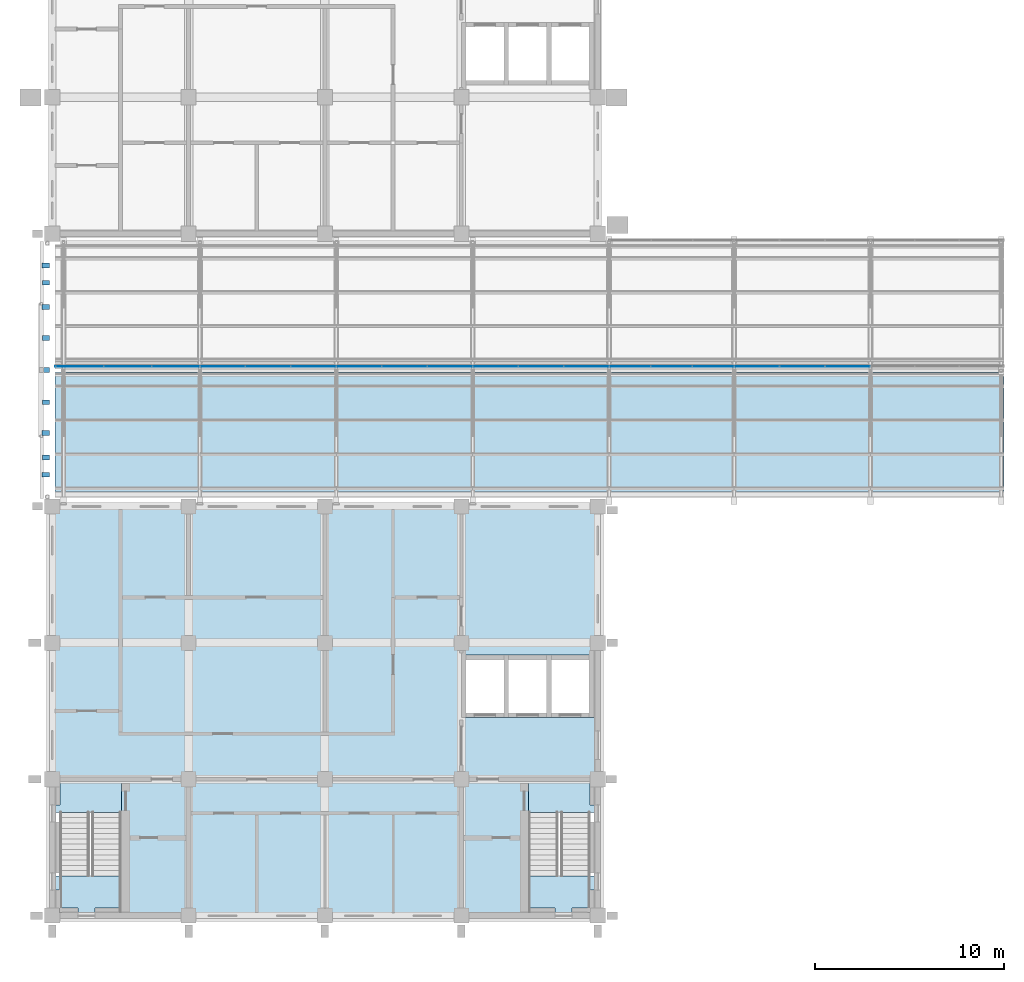
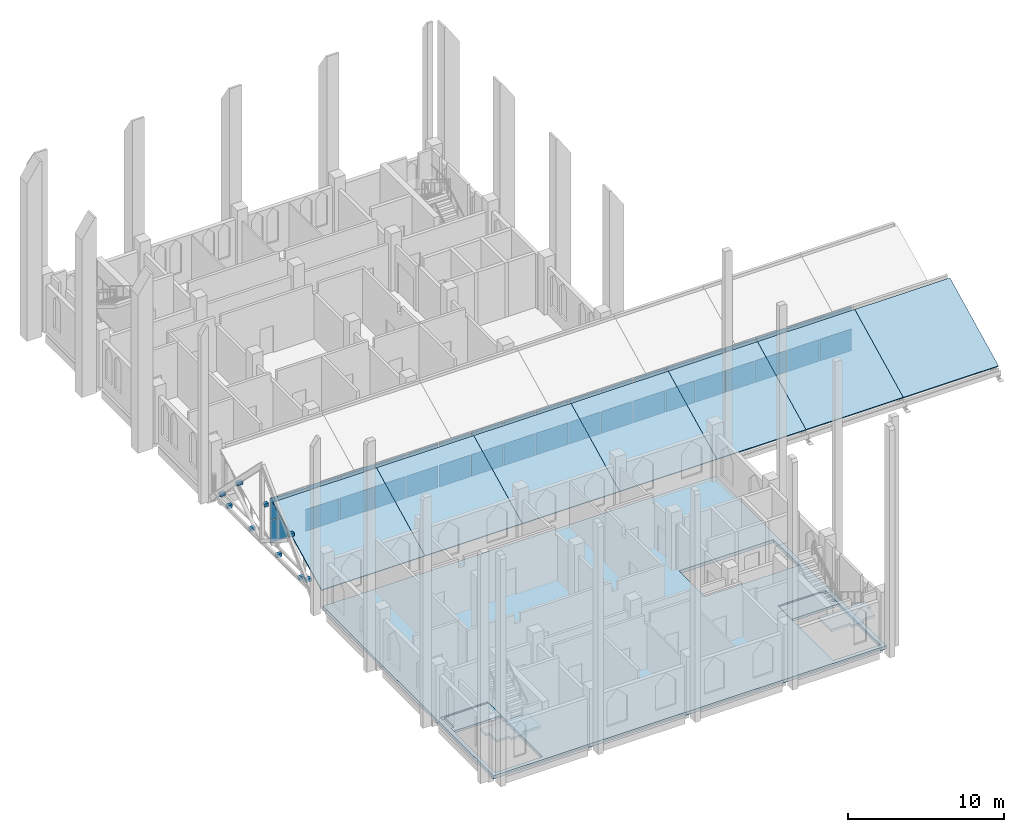
# One storey, part 16 of 29: 36 plates, 12 slabs, 9 members, 8 elements without a shape of their own.
"""IFC4 building model written with IfcOpenShell, lengths in metres."""

import ifcopenshell
import ifcopenshell.guid

model = None  # the IFC model being written
_history = None  # IfcOwnerHistory: only IFC2X3 demands one
_inside = {}  # id of a spatial element -> (the spatial element, [elements in it])
_under = {}  # id of a project, library or spatial element -> (it, [spatial elements below it])
_declared = {}  # id of a project -> (the project, [libraries it declares])
_typed = {}  # id of a type object -> (the type object, [elements of that type])
_made_of = {}  # id of a material, layer set ... -> (it, [elements and type objects made of it])


def new_model(schema):
    """Start an empty IFC model of exactly this schema.

    Asked for "IFC4X3", IfcOpenShell would pick the latest addendum, in which some entities
    have other attributes; the version numbers below select the first issue.
    IFC2X3 requires an IfcOwnerHistory on every rooted entity: one is made here for all.
    """
    global model, _history
    if schema == "IFC4X3":
        model = ifcopenshell.file(schema_version=(4, 3, 0, 0))
    else:
        model = ifcopenshell.file(schema=schema)
    _inside.clear()
    _under.clear()
    _declared.clear()
    _typed.clear()
    _made_of.clear()
    _history = None
    if model.schema == "IFC2X3":
        org = make("IfcOrganization", Name="unknown")
        user = make(
            "IfcPersonAndOrganization",
            ThePerson=make("IfcPerson", FamilyName="unknown"),
            TheOrganization=org,
        )
        app = make(
            "IfcApplication",
            ApplicationDeveloper=org,
            Version="unknown",
            ApplicationFullName="unknown",
            ApplicationIdentifier="unknown",
        )
        _history = make(
            "IfcOwnerHistory",
            OwningUser=user,
            OwningApplication=app,
            ChangeAction="ADDED",
            CreationDate=0,
        )
    return model


def make(cls, **values):
    """One entity of the class cls with the attributes given. An attribute that is None is left unset."""
    return model.create_entity(
        cls, **{name: value for name, value in values.items() if value is not None}
    )


def rooted(cls, **values):
    """An entity with a GlobalId (a new one), such as an element, a storey or a relation."""
    return make(cls, GlobalId=ifcopenshell.guid.new(), OwnerHistory=_history, **values)


def si_unit(unit_type, name, prefix=None):
    """IfcSIUnit, for example si_unit("LENGTHUNIT", "METRE", prefix="MILLI")."""
    return make("IfcSIUnit", UnitType=unit_type, Prefix=prefix, Name=name)


def assignment(units):
    """IfcUnitAssignment: the units of a project."""
    return None if units is None else make("IfcUnitAssignment", Units=units)


def point(xyz):
    """IfcCartesianPoint."""
    return None if xyz is None else make("IfcCartesianPoint", Coordinates=xyz)


def direction(xyz):
    """IfcDirection."""
    return None if xyz is None else make("IfcDirection", DirectionRatios=xyz)


def frame(location, z_axis=None, x_axis=None):
    """IfcAxis2Placement3D, a coordinate frame: its origin and axes. An axis left out is left unset."""
    return make(
        "IfcAxis2Placement3D",
        Location=point(location),
        Axis=direction(z_axis),
        RefDirection=direction(x_axis),
    )


def frame_2d(location, x_axis=None):
    """IfcAxis2Placement2D, a coordinate frame in the plane: its origin and x axis."""
    return make(
        "IfcAxis2Placement2D", Location=point(location), RefDirection=direction(x_axis)
    )


def origin():
    """The frame at (0, 0, 0) with its axes left unset."""
    return frame((0.0, 0.0, 0.0))


def origin_2d():
    """The frame at (0, 0) in the plane with its x axis left unset."""
    return frame_2d((0.0, 0.0))


def place(relative_to, where):
    """IfcLocalPlacement: puts the frame where relative to a parent placement (None: the world)."""
    return make(
        "IfcLocalPlacement", PlacementRelTo=relative_to, RelativePlacement=where
    )


def context(
    kind, dimensions, precision=None, world=None, true_north=None, identifier=None
):
    """IfcGeometricRepresentationContext, for example the 3D "Model" context."""
    return make(
        "IfcGeometricRepresentationContext",
        ContextIdentifier=identifier,
        ContextType=kind,
        CoordinateSpaceDimension=dimensions,
        Precision=precision,
        WorldCoordinateSystem=world,
        TrueNorth=true_north,
    )


def subcontext(parent, identifier, kind, view, scale=None):
    """IfcGeometricRepresentationSubContext, for example "Body" below "Model"."""
    return make(
        "IfcGeometricRepresentationSubContext",
        ContextIdentifier=identifier,
        ContextType=kind,
        ParentContext=parent,
        TargetScale=scale,
        TargetView=view,
    )


def project(units=None, contexts=None):
    """IfcProject with its units and contexts."""
    return rooted(
        "IfcProject",
        Name="project",
        RepresentationContexts=contexts,
        UnitsInContext=assignment(units),
    )


def spatial(cls, under=None, at=None, **own):
    """A site, building, storey or space (cls), placed at a placement, below another one or the project."""
    s = rooted(cls, ObjectPlacement=at, **own)
    if under is not None:
        _under.setdefault(under.id(), (under, []))[1].append(s)
    return s


def polyline(points):
    """IfcPolyline through the points."""
    return make("IfcPolyline", Points=[point(p) for p in points])


def profile(cls, at=None, kind="AREA", **sizes):
    """A parametric profile (cls). Its sizes go by their IFC names, for example OverallWidth=200.0."""
    return make(cls, ProfileType=kind, Position=at, **sizes)


def rectangle(**sizes):
    """IfcRectangleProfileDef."""
    return profile("IfcRectangleProfileDef", **sizes)


def outline(outer, holes=None, kind="AREA"):
    """IfcArbitraryClosedProfileDef: a profile drawn as a closed curve; with holes, ...WithVoids."""
    if holes is None:
        return make("IfcArbitraryClosedProfileDef", ProfileType=kind, OuterCurve=outer)
    return make(
        "IfcArbitraryProfileDefWithVoids",
        ProfileType=kind,
        OuterCurve=outer,
        InnerCurves=holes,
    )


def extrude(swept, where, along, depth):
    """IfcExtrudedAreaSolid: the profile swept, set in the frame where, extruded along a direction by depth."""
    return make(
        "IfcExtrudedAreaSolid",
        SweptArea=swept,
        Position=where,
        ExtrudedDirection=direction(along),
        Depth=depth,
    )


def shape(context_of_items, identifier, shape_type, items):
    """IfcShapeRepresentation: the items that make up one representation, for example the "Body"."""
    return make(
        "IfcShapeRepresentation",
        ContextOfItems=context_of_items,
        RepresentationIdentifier=identifier,
        RepresentationType=shape_type,
        Items=items,
    )


def material(Name=None, Category=None):
    """IfcMaterial."""
    return make("IfcMaterial", Name=Name, Category=Category)


def layer(
    of_material, thickness, ventilated=None, Name=None, Category=None, Priority=None
):
    """IfcMaterialLayer: one layer of a wall or slab, of a material (None: an air gap)."""
    return make(
        "IfcMaterialLayer",
        Material=of_material,
        LayerThickness=thickness,
        IsVentilated=ventilated,
        Name=Name,
        Category=Category,
        Priority=Priority,
    )


def layer_set(layers, Name=None):
    """IfcMaterialLayerSet."""
    return make("IfcMaterialLayerSet", MaterialLayers=layers, LayerSetName=Name)


def material_profile(
    of_material, cross_section, Name=None, Category=None, Priority=None
):
    """IfcMaterialProfile: a cross section and its material."""
    return make(
        "IfcMaterialProfile",
        Name=Name,
        Material=of_material,
        Profile=cross_section,
        Priority=Priority,
        Category=Category,
    )


def profile_set(profiles, Name=None, composite=None):
    """IfcMaterialProfileSet."""
    return make(
        "IfcMaterialProfileSet",
        Name=Name,
        MaterialProfiles=profiles,
        CompositeProfile=composite,
    )


def made_of(thing, what):
    """Note that an element or type object is made of a material, layer set ...; save() writes the relation."""
    if what is not None:
        _made_of.setdefault(what.id(), (what, []))[1].append(thing)
    return thing


def type_object(cls, material=None, **own):
    """A type object (cls), such as IfcWallType, which elements share."""
    return made_of(rooted(cls, **own), material)


def element(
    cls,
    number,
    at=None,
    inside=None,
    cuts=None,
    type_object=None,
    material=None,
    context=None,
    identifier="Body",
    shape_type=None,
    held_by="IfcProductDefinitionShape",
    body=None,
    shapes=None,
    **own,
):
    """One element of the class cls, such as IfcWall. Its Tag is "e" and its number.

    at: its placement. inside: the storey or other place that contains it. cuts: it is an
    opening in that element (IfcRelVoidsElement). A single representation is given by context,
    identifier, shape_type and body (its items); several are given by shapes. held_by: the class
    of the entity that holds the representations. save() writes the other relations.
    """
    e = rooted(cls, Tag="e%d" % number, ObjectPlacement=at, **own)
    if body is not None:
        shapes = [shape(context, identifier, shape_type, body)]
    if shapes is not None:
        e.Representation = make(held_by, Representations=shapes)
    if inside is not None:
        _inside.setdefault(inside.id(), (inside, []))[1].append(e)
    if cuts is not None:
        rooted(
            "IfcRelVoidsElement", RelatingBuildingElement=cuts, RelatedOpeningElement=e
        )
    if type_object is not None:
        _typed.setdefault(type_object.id(), (type_object, []))[1].append(e)
    return made_of(e, material)


def aggregate(whole, parts):
    """IfcRelAggregates: a whole, such as a stair, and the parts it consists of."""
    return rooted("IfcRelAggregates", RelatingObject=whole, RelatedObjects=parts)


def save(model, path):
    """Write the relations noted so far, then the file.

    IfcRelAggregates (storeys below a building ...), IfcRelContainedInSpatialStructure (elements
    in a storey), IfcRelDefinesByType, IfcRelAssociatesMaterial and IfcRelDeclares: one each for
    every whole, place, type object, material and project.
    """
    for whole, parts in _under.values():
        aggregate(whole, parts)
    for where, things in _inside.values():
        rooted(
            "IfcRelContainedInSpatialStructure",
            RelatedElements=things,
            RelatingStructure=where,
        )
    for kind, things in _typed.values():
        rooted("IfcRelDefinesByType", RelatedObjects=things, RelatingType=kind)
    for what, things in _made_of.values():
        rooted("IfcRelAssociatesMaterial", RelatedObjects=things, RelatingMaterial=what)
    for by, libraries in _declared.values():
        rooted("IfcRelDeclares", RelatingContext=by, RelatedDefinitions=libraries)
    model.write(path)


model = new_model("IFC4")

# Units and contexts
model_context = context("Model", 3, precision=1e-05, world=origin(), true_north=direction((0.0, 1.0)))
body_context = subcontext(model_context, "Body", "Model", "MODEL_VIEW")
ifc_project = project(units=[si_unit("LENGTHUNIT", "METRE"), si_unit("AREAUNIT", "SQUARE_METRE"), si_unit("VOLUMEUNIT", "CUBIC_METRE"), si_unit("PLANEANGLEUNIT", "RADIAN"), si_unit("MASSUNIT", "GRAM", prefix="KILO")], contexts=[model_context])

# Site, building, storey
site_placement = place(None, origin())
site = spatial("IfcSite", under=ifc_project, at=site_placement, CompositionType="ELEMENT")
building_placement = place(site_placement, origin())
building = spatial("IfcBuilding", under=site, at=building_placement, Name="Silangan Lancet Faculty of Sciences", CompositionType="ELEMENT")
storey_placement = place(building_placement, frame((0.0, 0.0, 40.800048828125)))
storey = spatial("IfcBuildingStorey", under=building, at=storey_placement, Name="L08", CompositionType="ELEMENT", Elevation=40.800048828125)

# Members
ifc_material_1 = material(Name="Steel S355", Category="steel")
ifc_material_profile = material_profile(ifc_material_1, rectangle(XDim=0.25, YDim=0.25, at=origin_2d()), Name="steel 250x250")
ifc_profile_set = profile_set([ifc_material_profile], Name="Steel S355")
member_type = type_object("IfcMemberType", Name="Gable truss bracket 250", PredefinedType="MEMBER", material=ifc_profile_set)
for number, where, z_axis, x_axis, name in (
    (1, (-0.14990234375, 23.280517578125, 1.24755859375), (-1.0, 0.0, 0.0), (0.0, -1.0, 0.0), "Gable truss bracket RA1"),
    (2, (-0.14990234375, 25.47509765625, 3.442138671875), (-1.0, 0.0, 0.0), (0.0, -1.0, 0.0), "Gable truss bracket RA2"),
    (3, (-0.14990234375, 34.319580078125, 1.24755859375), (-1.0, 0.0, 0.0), (0.0, -1.0, 0.0), "Gable truss bracket RB1"),
    (4, (-0.14990234375, 32.125, 3.442138671875), (-1.0, 0.0, 0.0), (0.0, -1.0, 0.0), "Gable truss bracket RB2"),
):
    element("IfcMember", number, at=place(storey_placement, frame(where, z_axis=z_axis, x_axis=x_axis)), inside=storey, type_object=member_type, Name=name, PredefinedType="MEMBER", context=body_context, shape_type="SweptSolid", body=[
        extrude(rectangle(XDim=0.25, YDim=0.25, at=origin_2d()), origin(), (0.0, 0.0, 1.0), 0.39599609375),
    ])
for number, where, z_axis, x_axis, name in (
    (5, (-0.14990234375, 24.18896484375, 0.849853515625), (-1.0, 0.0, 0.0), (0.0, -1.0, 0.0), "Gable truss bracket T1"),
    (6, (-0.14990234375, 27.101318359375, 0.849853515625), (-1.0, 0.0, 0.0), (0.0, -1.0, 0.0), "Gable truss bracket T2"),
    (7, (-0.14990234375, 30.498779296875, 0.849853515625), (-1.0, 0.0, 0.0), (0.0, -1.0, 0.0), "Gable truss bracket T3"),
    (8, (-0.14990234375, 33.4111328125, 0.849853515625), (-1.0, 0.0, 0.0), (0.0, -1.0, 0.0), "Gable truss bracket T4"),
):
    element("IfcMember", number, at=place(storey_placement, frame(where, z_axis=z_axis, x_axis=x_axis)), inside=storey, type_object=member_type, Name=name, PredefinedType="MEMBER", context=body_context, shape_type="SweptSolid", body=[
        extrude(rectangle(XDim=0.25, YDim=0.25, at=origin_2d()), origin(), (0.0, 0.0, 1.0), 0.371826171875),
    ])
member_placement = place(storey_placement, frame((-0.14990234375, 28.800048828125, 3.754638671875), z_axis=(-1.0, 0.0, 0.0), x_axis=(0.0, -1.0, 0.0)))
element("IfcMember", 9, at=member_placement, inside=storey, type_object=member_type, Name="Gable truss bracket K", PredefinedType="MEMBER", context=body_context, shape_type="SweptSolid", body=[
    extrude(rectangle(XDim=0.25, YDim=0.25, at=origin_2d()), origin(), (0.0, 0.0, 1.0), 0.300048828125),
])

# Curtain wall, plates
ifc_material_2 = material(Name="Aluminium and laminated glass", Category="aluminium")
curtain_wall_type = type_object("IfcCurtainWallType", Name="North light glazing system", PredefinedType="NOTDEFINED", material=ifc_material_2)
curtain_wall_1_placement = place(storey_placement, origin())
curtain_wall_1 = element("IfcCurtainWall", 10, at=curtain_wall_1_placement, inside=storey, type_object=curtain_wall_type, Name="North light glazing ATRIUM-1-5", PredefinedType="NOTDEFINED")
ifc_material_3 = material(Name="Laminated glass 12 + 12", Category="glass")
ifc_layer_1 = layer(ifc_material_3, 0.02392578125)
ifc_layer_set_1 = layer_set([ifc_layer_1], Name="Laminated glass 12 + 12")
plate_type_1 = type_object("IfcPlateType", Name="North light glass panel 2140x1721", PredefinedType="CURTAIN_PANEL", material=ifc_layer_set_1)
plate_1_placement = place(storey_placement, frame((29.429931640625, 28.98291015625, 0.442138671875), z_axis=(0.0, -1.0, 0.0), x_axis=(1.0, 0.0, 0.0)))
plate_1 = element("IfcPlate", 11, at=plate_1_placement, type_object=plate_type_1, Name="North light glass ATRIUM-1-5 1-1", PredefinedType="CURTAIN_PANEL", context=body_context, shape_type="SweptSolid", body=[
    extrude(outline(polyline([(0.0, 0.0), (2.14013671875, 0.0), (2.14013671875, 1.72119140625), (0.0, 1.72119140625), (0.0, 0.0)])), origin(), (0.0, 0.0, -1.0), 0.02392578125),
])
plate_2_placement = place(storey_placement, frame((29.429931640625, 28.98291015625, 2.22314453125), z_axis=(0.0, -1.0, 0.0), x_axis=(1.0, 0.0, 0.0)))
plate_2 = element("IfcPlate", 12, at=plate_2_placement, type_object=plate_type_1, Name="North light glass ATRIUM-1-5 2-1", PredefinedType="CURTAIN_PANEL", context=body_context, shape_type="SweptSolid", body=[
    extrude(outline(polyline([(0.0, 0.0), (2.14013671875, 0.0), (2.14013671875, 1.72119140625), (0.0, 1.72119140625), (0.0, 0.0)])), origin(), (0.0, 0.0, -1.0), 0.02392578125),
])
plate_3_placement = place(storey_placement, frame((31.6298828125, 28.98291015625, 0.442138671875), z_axis=(0.0, -1.0, 0.0), x_axis=(1.0, 0.0, 0.0)))
plate_3 = element("IfcPlate", 13, at=plate_3_placement, type_object=plate_type_1, Name="North light glass ATRIUM-1-5 1-2", PredefinedType="CURTAIN_PANEL", context=body_context, shape_type="SweptSolid", body=[
    extrude(outline(polyline([(0.0, 0.0), (2.14013671875, 0.0), (2.14013671875, 1.72119140625), (0.0, 1.72119140625), (0.0, 0.0)])), origin(), (0.0, 0.0, -1.0), 0.02392578125),
])
plate_4_placement = place(storey_placement, frame((31.6298828125, 28.98291015625, 2.22314453125), z_axis=(0.0, -1.0, 0.0), x_axis=(1.0, 0.0, 0.0)))
plate_4 = element("IfcPlate", 14, at=plate_4_placement, type_object=plate_type_1, Name="North light glass ATRIUM-1-5 2-2", PredefinedType="CURTAIN_PANEL", context=body_context, shape_type="SweptSolid", body=[
    extrude(outline(polyline([(0.0, 0.0), (2.14013671875, 0.0), (2.14013671875, 1.72119140625), (0.0, 1.72119140625), (0.0, 0.0)])), origin(), (0.0, 0.0, -1.0), 0.02392578125),
])
plate_5_placement = place(storey_placement, frame((33.830078125, 28.98291015625, 0.442138671875), z_axis=(0.0, -1.0, 0.0), x_axis=(1.0, 0.0, 0.0)))
plate_5 = element("IfcPlate", 15, at=plate_5_placement, type_object=plate_type_1, Name="North light glass ATRIUM-1-5 1-3", PredefinedType="CURTAIN_PANEL", context=body_context, shape_type="SweptSolid", body=[
    extrude(outline(polyline([(0.0, 0.0), (2.139892578125, 0.0), (2.139892578125, 1.72119140625), (0.0, 1.72119140625), (0.0, 0.0)])), origin(), (0.0, 0.0, -1.0), 0.02392578125),
])
plate_6_placement = place(storey_placement, frame((33.830078125, 28.98291015625, 2.22314453125), z_axis=(0.0, -1.0, 0.0), x_axis=(1.0, 0.0, 0.0)))
plate_6 = element("IfcPlate", 16, at=plate_6_placement, type_object=plate_type_1, Name="North light glass ATRIUM-1-5 2-3", PredefinedType="CURTAIN_PANEL", context=body_context, shape_type="SweptSolid", body=[
    extrude(outline(polyline([(0.0, 0.0), (2.139892578125, 0.0), (2.139892578125, 1.72119140625), (0.0, 1.72119140625), (0.0, 0.0)])), origin(), (0.0, 0.0, -1.0), 0.02392578125),
])
aggregate(curtain_wall_1, [plate_1, plate_2, plate_3, plate_4, plate_5, plate_6])

curtain_wall_2_placement = place(storey_placement, origin())
curtain_wall_2 = element("IfcCurtainWall", 17, at=curtain_wall_2_placement, inside=storey, type_object=curtain_wall_type, Name="North light glazing ATRIUM-1-2", PredefinedType="NOTDEFINED")
ifc_material_4 = material(Name="Laminated glass 12 + 12", Category="glass")
ifc_layer_2 = layer(ifc_material_4, 0.02392578125)
ifc_layer_set_2 = layer_set([ifc_layer_2], Name="Laminated glass 12 + 12")
plate_type_2 = type_object("IfcPlateType", Name="North light glass panel 2340x1721", PredefinedType="CURTAIN_PANEL", material=ifc_layer_set_2)
plate_7_placement = place(storey_placement, frame((7.830078125, 28.98291015625, 0.442138671875), z_axis=(0.0, -1.0, 0.0), x_axis=(1.0, 0.0, 0.0)))
plate_7 = element("IfcPlate", 18, at=plate_7_placement, type_object=plate_type_2, Name="North light glass ATRIUM-1-2 1-1", PredefinedType="CURTAIN_PANEL", context=body_context, shape_type="SweptSolid", body=[
    extrude(outline(polyline([(0.0, 0.0), (2.33984375, 0.0), (2.33984375, 1.72119140625), (0.0, 1.72119140625), (0.0, 0.0)])), origin(), (0.0, 0.0, -1.0), 0.02392578125),
])
plate_8_placement = place(storey_placement, frame((7.830078125, 28.98291015625, 2.22314453125), z_axis=(0.0, -1.0, 0.0), x_axis=(1.0, 0.0, 0.0)))
plate_8 = element("IfcPlate", 19, at=plate_8_placement, type_object=plate_type_2, Name="North light glass ATRIUM-1-2 2-1", PredefinedType="CURTAIN_PANEL", context=body_context, shape_type="SweptSolid", body=[
    extrude(outline(polyline([(0.0, 0.0), (2.33984375, 0.0), (2.33984375, 1.72119140625), (0.0, 1.72119140625), (0.0, 0.0)])), origin(), (0.0, 0.0, -1.0), 0.02392578125),
])
plate_9_placement = place(storey_placement, frame((10.22998046875, 28.98291015625, 0.442138671875), z_axis=(0.0, -1.0, 0.0), x_axis=(1.0, 0.0, 0.0)))
plate_9 = element("IfcPlate", 20, at=plate_9_placement, type_object=plate_type_2, Name="North light glass ATRIUM-1-2 1-2", PredefinedType="CURTAIN_PANEL", context=body_context, shape_type="SweptSolid", body=[
    extrude(outline(polyline([(0.0, 0.0), (2.340087890625, 0.0), (2.340087890625, 1.72119140625), (0.0, 1.72119140625), (0.0, 0.0)])), origin(), (0.0, 0.0, -1.0), 0.02392578125),
])
plate_10_placement = place(storey_placement, frame((10.22998046875, 28.98291015625, 2.22314453125), z_axis=(0.0, -1.0, 0.0), x_axis=(1.0, 0.0, 0.0)))
plate_10 = element("IfcPlate", 21, at=plate_10_placement, type_object=plate_type_2, Name="North light glass ATRIUM-1-2 2-2", PredefinedType="CURTAIN_PANEL", context=body_context, shape_type="SweptSolid", body=[
    extrude(outline(polyline([(0.0, 0.0), (2.340087890625, 0.0), (2.340087890625, 1.72119140625), (0.0, 1.72119140625), (0.0, 0.0)])), origin(), (0.0, 0.0, -1.0), 0.02392578125),
])
plate_11_placement = place(storey_placement, frame((12.6298828125, 28.98291015625, 0.442138671875), z_axis=(0.0, -1.0, 0.0), x_axis=(1.0, 0.0, 0.0)))
plate_11 = element("IfcPlate", 22, at=plate_11_placement, type_object=plate_type_2, Name="North light glass ATRIUM-1-2 1-3", PredefinedType="CURTAIN_PANEL", context=body_context, shape_type="SweptSolid", body=[
    extrude(outline(polyline([(0.0, 0.0), (2.340087890625, 0.0), (2.340087890625, 1.72119140625), (0.0, 1.72119140625), (0.0, 0.0)])), origin(), (0.0, 0.0, -1.0), 0.02392578125),
])
plate_12_placement = place(storey_placement, frame((12.6298828125, 28.98291015625, 2.22314453125), z_axis=(0.0, -1.0, 0.0), x_axis=(1.0, 0.0, 0.0)))
plate_12 = element("IfcPlate", 23, at=plate_12_placement, type_object=plate_type_2, Name="North light glass ATRIUM-1-2 2-3", PredefinedType="CURTAIN_PANEL", context=body_context, shape_type="SweptSolid", body=[
    extrude(outline(polyline([(0.0, 0.0), (2.340087890625, 0.0), (2.340087890625, 1.72119140625), (0.0, 1.72119140625), (0.0, 0.0)])), origin(), (0.0, 0.0, -1.0), 0.02392578125),
])
aggregate(curtain_wall_2, [plate_7, plate_8, plate_9, plate_10, plate_11, plate_12])

curtain_wall_3_placement = place(storey_placement, origin())
curtain_wall_3 = element("IfcCurtainWall", 24, at=curtain_wall_3_placement, inside=storey, type_object=curtain_wall_type, Name="North light glazing ATRIUM-1-3", PredefinedType="NOTDEFINED")
plate_13_placement = place(storey_placement, frame((15.030029296875, 28.98291015625, 0.442138671875), z_axis=(0.0, -1.0, 0.0), x_axis=(1.0, 0.0, 0.0)))
plate_13 = element("IfcPlate", 25, at=plate_13_placement, type_object=plate_type_2, Name="North light glass ATRIUM-1-3 1-1", PredefinedType="CURTAIN_PANEL", context=body_context, shape_type="SweptSolid", body=[
    extrude(outline(polyline([(0.0, 0.0), (2.340087890625, 0.0), (2.340087890625, 1.72119140625), (0.0, 1.72119140625), (0.0, 0.0)])), origin(), (0.0, 0.0, -1.0), 0.02392578125),
])
plate_14_placement = place(storey_placement, frame((15.030029296875, 28.98291015625, 2.22314453125), z_axis=(0.0, -1.0, 0.0), x_axis=(1.0, 0.0, 0.0)))
plate_14 = element("IfcPlate", 26, at=plate_14_placement, type_object=plate_type_2, Name="North light glass ATRIUM-1-3 2-1", PredefinedType="CURTAIN_PANEL", context=body_context, shape_type="SweptSolid", body=[
    extrude(outline(polyline([(0.0, 0.0), (2.340087890625, 0.0), (2.340087890625, 1.72119140625), (0.0, 1.72119140625), (0.0, 0.0)])), origin(), (0.0, 0.0, -1.0), 0.02392578125),
])
plate_15_placement = place(storey_placement, frame((17.429931640625, 28.98291015625, 0.442138671875), z_axis=(0.0, -1.0, 0.0), x_axis=(1.0, 0.0, 0.0)))
plate_15 = element("IfcPlate", 27, at=plate_15_placement, type_object=plate_type_2, Name="North light glass ATRIUM-1-3 1-2", PredefinedType="CURTAIN_PANEL", context=body_context, shape_type="SweptSolid", body=[
    extrude(outline(polyline([(0.0, 0.0), (2.340087890625, 0.0), (2.340087890625, 1.72119140625), (0.0, 1.72119140625), (0.0, 0.0)])), origin(), (0.0, 0.0, -1.0), 0.02392578125),
])
plate_16_placement = place(storey_placement, frame((17.429931640625, 28.98291015625, 2.22314453125), z_axis=(0.0, -1.0, 0.0), x_axis=(1.0, 0.0, 0.0)))
plate_16 = element("IfcPlate", 28, at=plate_16_placement, type_object=plate_type_2, Name="North light glass ATRIUM-1-3 2-2", PredefinedType="CURTAIN_PANEL", context=body_context, shape_type="SweptSolid", body=[
    extrude(outline(polyline([(0.0, 0.0), (2.340087890625, 0.0), (2.340087890625, 1.72119140625), (0.0, 1.72119140625), (0.0, 0.0)])), origin(), (0.0, 0.0, -1.0), 0.02392578125),
])
plate_17_placement = place(storey_placement, frame((19.830078125, 28.98291015625, 0.442138671875), z_axis=(0.0, -1.0, 0.0), x_axis=(1.0, 0.0, 0.0)))
plate_17 = element("IfcPlate", 29, at=plate_17_placement, type_object=plate_type_2, Name="North light glass ATRIUM-1-3 1-3", PredefinedType="CURTAIN_PANEL", context=body_context, shape_type="SweptSolid", body=[
    extrude(outline(polyline([(0.0, 0.0), (2.33984375, 0.0), (2.33984375, 1.72119140625), (0.0, 1.72119140625), (0.0, 0.0)])), origin(), (0.0, 0.0, -1.0), 0.02392578125),
])
plate_18_placement = place(storey_placement, frame((19.830078125, 28.98291015625, 2.22314453125), z_axis=(0.0, -1.0, 0.0), x_axis=(1.0, 0.0, 0.0)))
plate_18 = element("IfcPlate", 30, at=plate_18_placement, type_object=plate_type_2, Name="North light glass ATRIUM-1-3 2-3", PredefinedType="CURTAIN_PANEL", context=body_context, shape_type="SweptSolid", body=[
    extrude(outline(polyline([(0.0, 0.0), (2.33984375, 0.0), (2.33984375, 1.72119140625), (0.0, 1.72119140625), (0.0, 0.0)])), origin(), (0.0, 0.0, -1.0), 0.02392578125),
])
aggregate(curtain_wall_3, [plate_13, plate_14, plate_15, plate_16, plate_17, plate_18])

curtain_wall_4_placement = place(storey_placement, origin())
curtain_wall_4 = element("IfcCurtainWall", 31, at=curtain_wall_4_placement, inside=storey, type_object=curtain_wall_type, Name="North light glazing ATRIUM-1-4", PredefinedType="NOTDEFINED")
plate_19_placement = place(storey_placement, frame((22.22998046875, 28.98291015625, 0.442138671875), z_axis=(0.0, -1.0, 0.0), x_axis=(1.0, 0.0, 0.0)))
plate_19 = element("IfcPlate", 32, at=plate_19_placement, type_object=plate_type_2, Name="North light glass ATRIUM-1-4 1-1", PredefinedType="CURTAIN_PANEL", context=body_context, shape_type="SweptSolid", body=[
    extrude(outline(polyline([(0.0, 0.0), (2.340087890625, 0.0), (2.340087890625, 1.72119140625), (0.0, 1.72119140625), (0.0, 0.0)])), origin(), (0.0, 0.0, -1.0), 0.02392578125),
])
plate_20_placement = place(storey_placement, frame((22.22998046875, 28.98291015625, 2.22314453125), z_axis=(0.0, -1.0, 0.0), x_axis=(1.0, 0.0, 0.0)))
plate_20 = element("IfcPlate", 33, at=plate_20_placement, type_object=plate_type_2, Name="North light glass ATRIUM-1-4 2-1", PredefinedType="CURTAIN_PANEL", context=body_context, shape_type="SweptSolid", body=[
    extrude(outline(polyline([(0.0, 0.0), (2.340087890625, 0.0), (2.340087890625, 1.72119140625), (0.0, 1.72119140625), (0.0, 0.0)])), origin(), (0.0, 0.0, -1.0), 0.02392578125),
])
plate_21_placement = place(storey_placement, frame((24.6298828125, 28.98291015625, 0.442138671875), z_axis=(0.0, -1.0, 0.0), x_axis=(1.0, 0.0, 0.0)))
plate_21 = element("IfcPlate", 34, at=plate_21_placement, type_object=plate_type_2, Name="North light glass ATRIUM-1-4 1-2", PredefinedType="CURTAIN_PANEL", context=body_context, shape_type="SweptSolid", body=[
    extrude(outline(polyline([(0.0, 0.0), (2.340087890625, 0.0), (2.340087890625, 1.72119140625), (0.0, 1.72119140625), (0.0, 0.0)])), origin(), (0.0, 0.0, -1.0), 0.02392578125),
])
plate_22_placement = place(storey_placement, frame((24.6298828125, 28.98291015625, 2.22314453125), z_axis=(0.0, -1.0, 0.0), x_axis=(1.0, 0.0, 0.0)))
plate_22 = element("IfcPlate", 35, at=plate_22_placement, type_object=plate_type_2, Name="North light glass ATRIUM-1-4 2-2", PredefinedType="CURTAIN_PANEL", context=body_context, shape_type="SweptSolid", body=[
    extrude(outline(polyline([(0.0, 0.0), (2.340087890625, 0.0), (2.340087890625, 1.72119140625), (0.0, 1.72119140625), (0.0, 0.0)])), origin(), (0.0, 0.0, -1.0), 0.02392578125),
])
plate_23_placement = place(storey_placement, frame((27.030029296875, 28.98291015625, 0.442138671875), z_axis=(0.0, -1.0, 0.0), x_axis=(1.0, 0.0, 0.0)))
plate_23 = element("IfcPlate", 36, at=plate_23_placement, type_object=plate_type_2, Name="North light glass ATRIUM-1-4 1-3", PredefinedType="CURTAIN_PANEL", context=body_context, shape_type="SweptSolid", body=[
    extrude(outline(polyline([(0.0, 0.0), (2.340087890625, 0.0), (2.340087890625, 1.72119140625), (0.0, 1.72119140625), (0.0, 0.0)])), origin(), (0.0, 0.0, -1.0), 0.02392578125),
])
plate_24_placement = place(storey_placement, frame((27.030029296875, 28.98291015625, 2.22314453125), z_axis=(0.0, -1.0, 0.0), x_axis=(1.0, 0.0, 0.0)))
plate_24 = element("IfcPlate", 37, at=plate_24_placement, type_object=plate_type_2, Name="North light glass ATRIUM-1-4 2-3", PredefinedType="CURTAIN_PANEL", context=body_context, shape_type="SweptSolid", body=[
    extrude(outline(polyline([(0.0, 0.0), (2.340087890625, 0.0), (2.340087890625, 1.72119140625), (0.0, 1.72119140625), (0.0, 0.0)])), origin(), (0.0, 0.0, -1.0), 0.02392578125),
])
aggregate(curtain_wall_4, [plate_19, plate_20, plate_21, plate_22, plate_23, plate_24])

curtain_wall_5_placement = place(storey_placement, origin())
curtain_wall_5 = element("IfcCurtainWall", 38, at=curtain_wall_5_placement, inside=storey, type_object=curtain_wall_type, Name="North light glazing ATRIUM-1-6", PredefinedType="NOTDEFINED")
plate_25_placement = place(storey_placement, frame((36.030029296875, 28.98291015625, 0.442138671875), z_axis=(0.0, -1.0, 0.0), x_axis=(1.0, 0.0, 0.0)))
plate_25 = element("IfcPlate", 39, at=plate_25_placement, type_object=plate_type_2, Name="North light glass ATRIUM-1-6 1-1", PredefinedType="CURTAIN_PANEL", context=body_context, shape_type="SweptSolid", body=[
    extrude(outline(polyline([(0.0, 0.0), (2.340087890625, 0.0), (2.340087890625, 1.72119140625), (0.0, 1.72119140625), (0.0, 0.0)])), origin(), (0.0, 0.0, -1.0), 0.02392578125),
])
plate_26_placement = place(storey_placement, frame((36.030029296875, 28.98291015625, 2.22314453125), z_axis=(0.0, -1.0, 0.0), x_axis=(1.0, 0.0, 0.0)))
plate_26 = element("IfcPlate", 40, at=plate_26_placement, type_object=plate_type_2, Name="North light glass ATRIUM-1-6 2-1", PredefinedType="CURTAIN_PANEL", context=body_context, shape_type="SweptSolid", body=[
    extrude(outline(polyline([(0.0, 0.0), (2.340087890625, 0.0), (2.340087890625, 1.72119140625), (0.0, 1.72119140625), (0.0, 0.0)])), origin(), (0.0, 0.0, -1.0), 0.02392578125),
])
plate_27_placement = place(storey_placement, frame((38.429931640625, 28.98291015625, 0.442138671875), z_axis=(0.0, -1.0, 0.0), x_axis=(1.0, 0.0, 0.0)))
plate_27 = element("IfcPlate", 41, at=plate_27_placement, type_object=plate_type_2, Name="North light glass ATRIUM-1-6 1-2", PredefinedType="CURTAIN_PANEL", context=body_context, shape_type="SweptSolid", body=[
    extrude(outline(polyline([(0.0, 0.0), (2.340087890625, 0.0), (2.340087890625, 1.72119140625), (0.0, 1.72119140625), (0.0, 0.0)])), origin(), (0.0, 0.0, -1.0), 0.02392578125),
])
plate_28_placement = place(storey_placement, frame((38.429931640625, 28.98291015625, 2.22314453125), z_axis=(0.0, -1.0, 0.0), x_axis=(1.0, 0.0, 0.0)))
plate_28 = element("IfcPlate", 42, at=plate_28_placement, type_object=plate_type_2, Name="North light glass ATRIUM-1-6 2-2", PredefinedType="CURTAIN_PANEL", context=body_context, shape_type="SweptSolid", body=[
    extrude(outline(polyline([(0.0, 0.0), (2.340087890625, 0.0), (2.340087890625, 1.72119140625), (0.0, 1.72119140625), (0.0, 0.0)])), origin(), (0.0, 0.0, -1.0), 0.02392578125),
])
plate_29_placement = place(storey_placement, frame((40.830078125, 28.98291015625, 0.442138671875), z_axis=(0.0, -1.0, 0.0), x_axis=(1.0, 0.0, 0.0)))
plate_29 = element("IfcPlate", 43, at=plate_29_placement, type_object=plate_type_2, Name="North light glass ATRIUM-1-6 1-3", PredefinedType="CURTAIN_PANEL", context=body_context, shape_type="SweptSolid", body=[
    extrude(outline(polyline([(0.0, 0.0), (2.33984375, 0.0), (2.33984375, 1.72119140625), (0.0, 1.72119140625), (0.0, 0.0)])), origin(), (0.0, 0.0, -1.0), 0.02392578125),
])
plate_30_placement = place(storey_placement, frame((40.830078125, 28.98291015625, 2.22314453125), z_axis=(0.0, -1.0, 0.0), x_axis=(1.0, 0.0, 0.0)))
plate_30 = element("IfcPlate", 44, at=plate_30_placement, type_object=plate_type_2, Name="North light glass ATRIUM-1-6 2-3", PredefinedType="CURTAIN_PANEL", context=body_context, shape_type="SweptSolid", body=[
    extrude(outline(polyline([(0.0, 0.0), (2.33984375, 0.0), (2.33984375, 1.72119140625), (0.0, 1.72119140625), (0.0, 0.0)])), origin(), (0.0, 0.0, -1.0), 0.02392578125),
])
aggregate(curtain_wall_5, [plate_25, plate_26, plate_27, plate_28, plate_29, plate_30])

curtain_wall_6_placement = place(storey_placement, origin())
curtain_wall_6 = element("IfcCurtainWall", 45, at=curtain_wall_6_placement, inside=storey, type_object=curtain_wall_type, Name="North light glazing ATRIUM-1-1", PredefinedType="NOTDEFINED")
ifc_material_5 = material(Name="Laminated glass 12 + 12", Category="glass")
ifc_layer_3 = layer(ifc_material_5, 0.02392578125)
ifc_layer_set_3 = layer_set([ifc_layer_3], Name="Laminated glass 12 + 12")
plate_type_3 = type_object("IfcPlateType", Name="North light glass panel 2480x1721", PredefinedType="CURTAIN_PANEL", material=ifc_layer_set_3)
plate_31_placement = place(storey_placement, frame((2.75, 28.98291015625, 0.442138671875), z_axis=(0.0, -1.0, 0.0), x_axis=(1.0, 0.0, 0.0)))
plate_31 = element("IfcPlate", 46, at=plate_31_placement, type_object=plate_type_3, Name="North light glass ATRIUM-1-1 1-2", PredefinedType="CURTAIN_PANEL", context=body_context, shape_type="SweptSolid", body=[
    extrude(outline(polyline([(0.0, 0.0), (2.47998046875, 0.0), (2.47998046875, 1.72119140625), (0.0, 1.72119140625), (0.0, 0.0)])), origin(), (0.0, 0.0, -1.0), 0.02392578125),
])
plate_32_placement = place(storey_placement, frame((2.75, 28.98291015625, 2.22314453125), z_axis=(0.0, -1.0, 0.0), x_axis=(1.0, 0.0, 0.0)))
plate_32 = element("IfcPlate", 47, at=plate_32_placement, type_object=plate_type_3, Name="North light glass ATRIUM-1-1 2-2", PredefinedType="CURTAIN_PANEL", context=body_context, shape_type="SweptSolid", body=[
    extrude(outline(polyline([(0.0, 0.0), (2.47998046875, 0.0), (2.47998046875, 1.72119140625), (0.0, 1.72119140625), (0.0, 0.0)])), origin(), (0.0, 0.0, -1.0), 0.02392578125),
])
plate_33_placement = place(storey_placement, frame((5.2900390625, 28.98291015625, 0.442138671875), z_axis=(0.0, -1.0, 0.0), x_axis=(1.0, 0.0, 0.0)))
plate_33 = element("IfcPlate", 48, at=plate_33_placement, type_object=plate_type_3, Name="North light glass ATRIUM-1-1 1-3", PredefinedType="CURTAIN_PANEL", context=body_context, shape_type="SweptSolid", body=[
    extrude(outline(polyline([(0.0, 0.0), (2.47998046875, 0.0), (2.47998046875, 1.72119140625), (0.0, 1.72119140625), (0.0, 0.0)])), origin(), (0.0, 0.0, -1.0), 0.02392578125),
])
plate_34_placement = place(storey_placement, frame((5.2900390625, 28.98291015625, 2.22314453125), z_axis=(0.0, -1.0, 0.0), x_axis=(1.0, 0.0, 0.0)))
plate_34 = element("IfcPlate", 49, at=plate_34_placement, type_object=plate_type_3, Name="North light glass ATRIUM-1-1 2-3", PredefinedType="CURTAIN_PANEL", context=body_context, shape_type="SweptSolid", body=[
    extrude(outline(polyline([(0.0, 0.0), (2.47998046875, 0.0), (2.47998046875, 1.72119140625), (0.0, 1.72119140625), (0.0, 0.0)])), origin(), (0.0, 0.0, -1.0), 0.02392578125),
])
ifc_material_6 = material(Name="Laminated glass 12 + 12", Category="glass")
ifc_layer_4 = layer(ifc_material_6, 0.02392578125)
ifc_layer_set_4 = layer_set([ifc_layer_4], Name="Laminated glass 12 + 12")
plate_type_4 = type_object("IfcPlateType", Name="North light glass panel 2540x1721", PredefinedType="CURTAIN_PANEL", material=ifc_layer_set_4)
plate_35_placement = place(storey_placement, frame((0.14990234375, 28.98291015625, 0.442138671875), z_axis=(0.0, -1.0, 0.0), x_axis=(1.0, 0.0, 0.0)))
plate_35 = element("IfcPlate", 50, at=plate_35_placement, type_object=plate_type_4, Name="North light glass ATRIUM-1-1 1-1", PredefinedType="CURTAIN_PANEL", context=body_context, shape_type="SweptSolid", body=[
    extrude(outline(polyline([(0.0, 0.0), (2.5400390625, 0.0), (2.5400390625, 1.72119140625), (0.0, 1.72119140625), (0.0, 0.0)])), origin(), (0.0, 0.0, -1.0), 0.02392578125),
])
plate_36_placement = place(storey_placement, frame((0.14990234375, 28.98291015625, 2.22314453125), z_axis=(0.0, -1.0, 0.0), x_axis=(1.0, 0.0, 0.0)))
plate_36 = element("IfcPlate", 51, at=plate_36_placement, type_object=plate_type_4, Name="North light glass ATRIUM-1-1 2-1", PredefinedType="CURTAIN_PANEL", context=body_context, shape_type="SweptSolid", body=[
    extrude(outline(polyline([(0.0, 0.0), (2.5400390625, 0.0), (2.5400390625, 1.72119140625), (0.0, 1.72119140625), (0.0, 0.0)])), origin(), (0.0, 0.0, -1.0), 0.02392578125),
])
aggregate(curtain_wall_6, [plate_35, plate_36, plate_31, plate_32, plate_33, plate_34])

# Slabs
ifc_material_7 = material(Name="Insulated cold-formed steel roof sheeting", Category="steel")
ifc_layer_5 = layer(ifc_material_7, 0.10009765625)
ifc_layer_set_5 = layer_set([ifc_layer_5], Name="Insulated cold-formed steel roof sheeting")
slab_type_1 = type_object("IfcSlabType", Name="Roof sheeting panel 100", PredefinedType="ROOF", material=ifc_layer_set_5)
slab_1_placement = place(storey_placement, frame((0.14990234375, 22.39990234375, 0.770263671875), z_axis=(0.0, -0.447199564554, 0.894434206335), x_axis=(1.0, 0.0, 0.0)))
element("IfcSlab", 52, at=slab_1_placement, inside=storey, type_object=slab_type_1, Name="Roof sheeting ATRIUM-1-1", PredefinedType="ROOF", context=body_context, shape_type="SweptSolid", body=[
    extrude(outline(polyline([(0.0, 0.0), (7.650146484375, 0.0), (7.650146484375, 6.960089129844615), (0.0, 6.960089129844615), (0.0, 0.0)])), origin(), (0.0, 0.0, -1.0), 0.10009765625),
])
for number, where, z_axis, x_axis, name in (
    (53, (7.800048828125, 22.39990234375, 0.770263671875), (0.0, -0.447199564554, 0.894434206335), (1.0, 0.0, 0.0), "Roof sheeting ATRIUM-1-2"),
    (54, (15.0, 22.39990234375, 0.770263671875), (0.0, -0.447199564554, 0.894434206335), (1.0, 0.0, 0.0), "Roof sheeting ATRIUM-1-3"),
    (55, (22.199951171875, 22.39990234375, 0.770263671875), (0.0, -0.447199564554, 0.894434206335), (1.0, 0.0, 0.0), "Roof sheeting ATRIUM-1-4"),
):
    element("IfcSlab", number, at=place(storey_placement, frame(where, z_axis=z_axis, x_axis=x_axis)), inside=storey, type_object=slab_type_1, Name=name, PredefinedType="ROOF", context=body_context, shape_type="SweptSolid", body=[
        extrude(outline(polyline([(0.0, 0.0), (7.199951171875, 0.0), (7.199951171875, 6.960089129844615), (0.0, 6.960089129844615), (0.0, 0.0)])), origin(), (0.0, 0.0, -1.0), 0.10009765625),
    ])
slab_2_placement = place(storey_placement, frame((29.39990234375, 22.39990234375, 0.770263671875), z_axis=(0.0, -0.447199564554, 0.894434206335), x_axis=(1.0, 0.0, 0.0)))
element("IfcSlab", 56, at=slab_2_placement, inside=storey, type_object=slab_type_1, Name="Roof sheeting ATRIUM-1-5", PredefinedType="ROOF", context=body_context, shape_type="SweptSolid", body=[
    extrude(outline(polyline([(0.0, 0.0), (6.60009765625, 0.0), (6.60009765625, 6.960089129844616), (0.0, 6.960089129844616), (0.0, 0.0)])), origin(), (0.0, 0.0, -1.0), 0.10009765625),
])
slab_3_placement = place(storey_placement, frame((36.0, 22.39990234375, 0.770263671875), z_axis=(0.0, -0.447199564554, 0.894434206335), x_axis=(1.0, 0.0, 0.0)))
element("IfcSlab", 57, at=slab_3_placement, inside=storey, type_object=slab_type_1, Name="Roof sheeting ATRIUM-1-6", PredefinedType="ROOF", context=body_context, shape_type="SweptSolid", body=[
    extrude(outline(polyline([(0.0, 0.0), (7.199951171875, 0.0), (7.199951171875, 6.960089129844615), (0.0, 6.960089129844615), (0.0, 0.0)])), origin(), (0.0, 0.0, -1.0), 0.10009765625),
])
slab_4_placement = place(storey_placement, frame((43.199951171875, 22.39990234375, 0.770263671875), z_axis=(0.0, -0.447199564554, 0.894434206335), x_axis=(1.0, 0.0, 0.0)))
element("IfcSlab", 58, at=slab_4_placement, inside=storey, type_object=slab_type_1, Name="Roof sheeting ATRIUM-1-7", PredefinedType="ROOF", context=body_context, shape_type="SweptSolid", body=[
    extrude(outline(polyline([(0.0, 0.0), (7.050048828125, 0.0), (7.050048828125, 6.960089129844615), (0.0, 6.960089129844615), (0.0, 0.0)])), origin(), (0.0, 0.0, -1.0), 0.10009765625),
])
ifc_material_8 = material(Name="Concrete C35/45", Category="concrete")
ifc_layer_6 = layer(ifc_material_8, 0.25)
ifc_layer_set_6 = layer_set([ifc_layer_6], Name="Concrete C35/45")
slab_type_2 = type_object("IfcSlabType", Name="SLAB FLOOR 250", PredefinedType="FLOOR", material=ifc_layer_set_6)
slab_5_placement = place(storey_placement, frame((0.0, 0.0, -0.25)))
element("IfcSlab", 59, at=slab_5_placement, inside=storey, type_object=slab_type_2, Name="SLAB-L08-ST", PredefinedType="FLOOR", context=body_context, shape_type="SweptSolid", body=[
    extrude(outline(polyline([(-0.14990234375, 21.75), (-0.14990234375, -0.14990234375), (28.949951171875, -0.14990234375), (28.949951171875, 21.75), (-0.14990234375, 21.75)]), holes=[polyline([(0.14990234375, 0.14990234375), (0.14990234375, 7.199951171875), (3.64990234375, 7.199951171875), (3.64990234375, 0.14990234375), (0.14990234375, 0.14990234375)]), polyline([(25.14990234375, 7.199951171875), (28.64990234375, 7.199951171875), (28.64990234375, 0.14990234375), (25.14990234375, 0.14990234375), (25.14990234375, 7.199951171875)]), polyline([(21.60009765625, 13.75), (28.60009765625, 13.75), (28.60009765625, 10.449951171875), (21.60009765625, 10.449951171875), (21.60009765625, 13.75)])]), origin(), (0.0, 0.0, 1.0), 0.25),
])

# Stair, slabs
ifc_material_9 = material(Name="Concrete C40/50", Category="concrete")
stair_type = type_object("IfcStairType", Name="TURRET STAIR 1550 TWO-FLIGHT", PredefinedType="HALF_TURN_STAIR", material=ifc_material_9)
stair_1_placement = place(storey_placement, origin())
stair_1 = element("IfcStair", 60, at=stair_1_placement, inside=storey, type_object=stair_type, Name="ST-A stair L08", PredefinedType="HALF_TURN_STAIR")
ifc_material_10 = material(Name="Concrete C40/50", Category="concrete")
ifc_layer_7 = layer(ifc_material_10, 0.179931640625)
ifc_layer_set_7 = layer_set([ifc_layer_7], Name="Concrete C40/50")
slab_type_3 = type_object("IfcSlabType", Name="TURRET STAIR LANDING RC 180", PredefinedType="LANDING", material=ifc_layer_set_7)
slab_6_placement = place(storey_placement, frame((0.0, 0.0, -0.179931640625)))
slab_6 = element("IfcSlab", 61, at=slab_6_placement, type_object=slab_type_3, Name="STR1 landing 1", PredefinedType="LANDING", context=body_context, shape_type="SweptSolid", body=[
    extrude(outline(polyline([(3.64990234375, 5.449951171875), (0.14990234375, 5.449951171875), (0.14990234375, 5.85009765625), (0.39990234375, 5.85009765625), (0.39990234375, 7.074951171875), (3.64990234375, 7.074951171875), (3.64990234375, 5.449951171875)])), origin(), (0.0, 0.0, 1.0), 0.179931640625),
])
slab_7_placement = place(storey_placement, frame((0.0, 0.0, 2.070068359375)))
slab_7 = element("IfcSlab", 62, at=slab_7_placement, type_object=slab_type_3, Name="STR1 landing 2", PredefinedType="LANDING", context=body_context, shape_type="SweptSolid", body=[
    extrude(outline(polyline([(0.14990234375, 2.090087890625), (3.64990234375, 2.090087890625), (3.64990234375, 0.39990234375), (2.25, 0.39990234375), (2.25, 0.14990234375), (1.35009765625, 0.14990234375), (1.35009765625, 0.39990234375), (0.39990234375, 0.39990234375), (0.39990234375, 1.35009765625), (0.14990234375, 1.35009765625), (0.14990234375, 2.090087890625)])), origin(), (0.0, 0.0, 1.0), 0.179931640625),
])
aggregate(stair_1, [slab_6, slab_7])

stair_2_placement = place(storey_placement, origin())
stair_2 = element("IfcStair", 63, at=stair_2_placement, inside=storey, type_object=stair_type, Name="ST-B stair L08", PredefinedType="HALF_TURN_STAIR")
slab_8_placement = place(storey_placement, frame((0.0, 0.0, -0.179931640625)))
slab_8 = element("IfcSlab", 64, at=slab_8_placement, type_object=slab_type_3, Name="STR2 landing 1", PredefinedType="LANDING", context=body_context, shape_type="SweptSolid", body=[
    extrude(outline(polyline([(28.39990234375, 5.85009765625), (28.64990234375, 5.85009765625), (28.64990234375, 5.449951171875), (25.14990234375, 5.449951171875), (25.14990234375, 7.074951171875), (28.39990234375, 7.074951171875), (28.39990234375, 5.85009765625)])), origin(), (0.0, 0.0, 1.0), 0.179931640625),
])
slab_9_placement = place(storey_placement, frame((0.0, 0.0, 2.070068359375)))
slab_9 = element("IfcSlab", 65, at=slab_9_placement, type_object=slab_type_3, Name="STR2 landing 2", PredefinedType="LANDING", context=body_context, shape_type="SweptSolid", body=[
    extrude(outline(polyline([(26.550048828125, 0.14990234375), (26.550048828125, 0.39990234375), (25.14990234375, 0.39990234375), (25.14990234375, 2.090087890625), (28.64990234375, 2.090087890625), (28.64990234375, 1.35009765625), (28.39990234375, 1.35009765625), (28.39990234375, 0.39990234375), (27.449951171875, 0.39990234375), (27.449951171875, 0.14990234375), (26.550048828125, 0.14990234375)])), origin(), (0.0, 0.0, 1.0), 0.179931640625),
])
aggregate(stair_2, [slab_8, slab_9])

save(model, "model.ifc")
